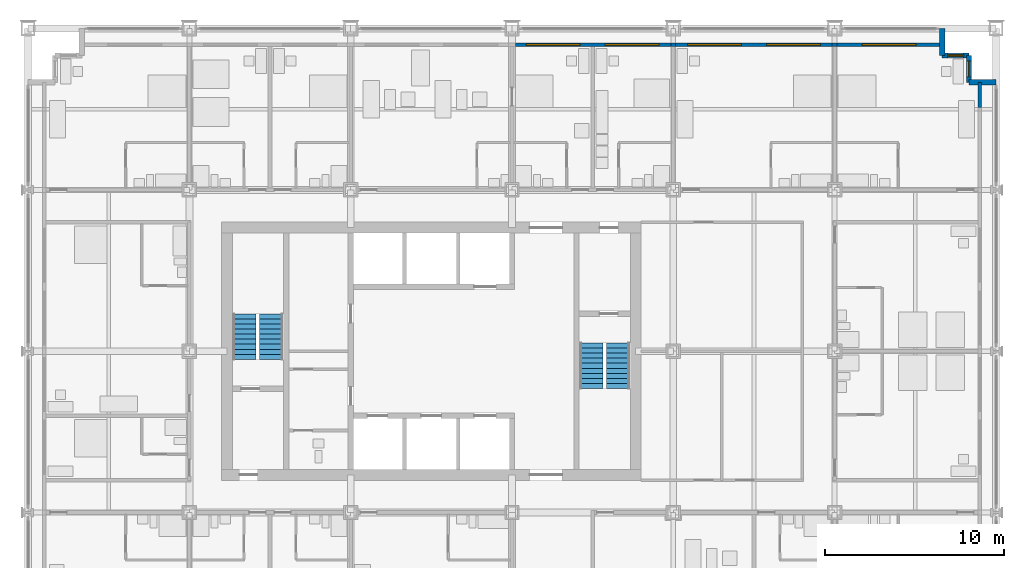
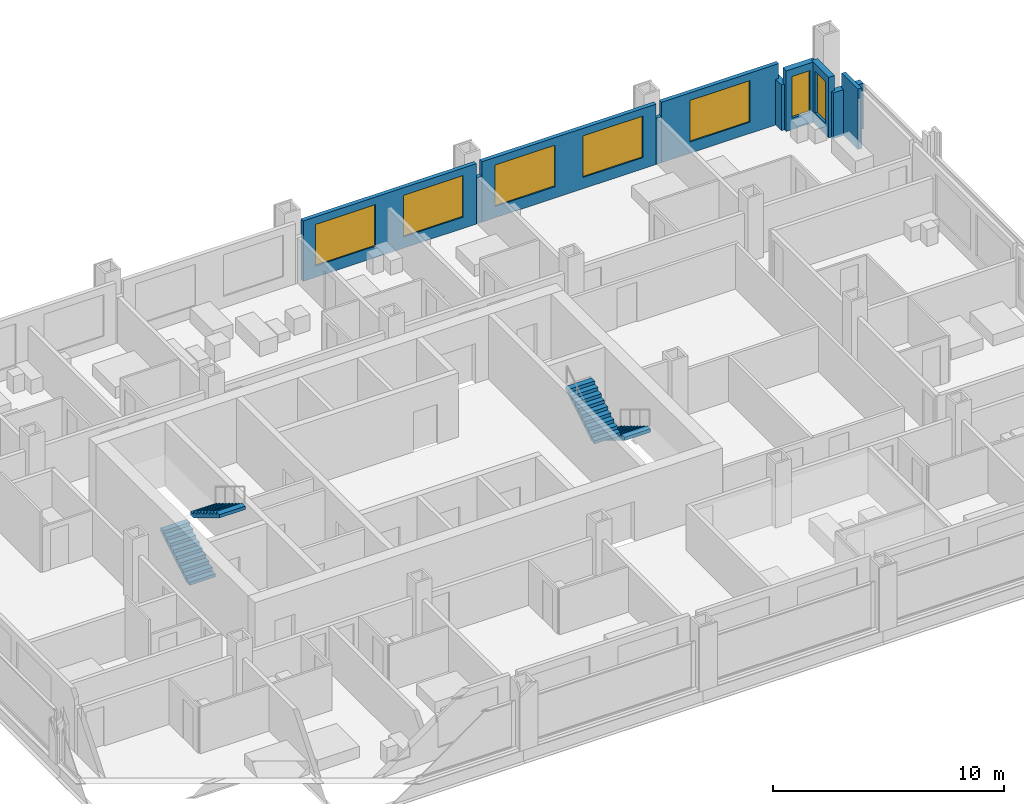
# One storey, part 15 of 18: 10 walls, 7 windows, 4 stair flights, 7 openings, 2 elements without a shape of their own.
"""IFC4 building model written with IfcOpenShell, lengths in metres."""

from ifc_helpers import new_model, si_unit, direction, frame, frame_2d, origin, place, context, subcontext, project, spatial, polyline, rectangle, outline, extrude, material, layer, layer_set, type_object, element, fill, aggregate, save


model = new_model("IFC4")

# Units and contexts
model_context = context("Model", 3, precision=1e-05, world=origin(), true_north=direction((0.0, 1.0)))
body_context = subcontext(model_context, "Body", "Model", "MODEL_VIEW")
ifc_project = project(units=[si_unit("LENGTHUNIT", "METRE"), si_unit("AREAUNIT", "SQUARE_METRE"), si_unit("VOLUMEUNIT", "CUBIC_METRE"), si_unit("PLANEANGLEUNIT", "RADIAN"), si_unit("MASSUNIT", "GRAM", prefix="KILO")], contexts=[model_context])

# Site, building, storey
site_placement = place(None, origin())
site = spatial("IfcSite", under=ifc_project, at=site_placement, CompositionType="ELEMENT")
building_placement = place(site_placement, origin())
building = spatial("IfcBuilding", under=site, at=building_placement, Name="Loomwork Tower", CompositionType="ELEMENT")
storey_placement = place(building_placement, frame((0.0, 0.0, 38.199951171875)))
storey = spatial("IfcBuildingStorey", under=building, at=storey_placement, Name="L08", CompositionType="ELEMENT", Elevation=38.199951171875)

# Wall, openings, windows
ifc_material_1 = material(Name="Insulated steel stud wall with gypsum lining", Category="steel")
ifc_layer_1 = layer(ifc_material_1, 0.199951171875)
ifc_layer_set_1 = layer_set([ifc_layer_1], Name="Inner skin wall 200")
wall_type_1 = type_object("IfcWallType", Name="Inner skin wall 200", PredefinedType="SOLIDWALL", material=ifc_layer_set_1)
wall_1_placement = place(storey_placement, frame((27.19384765625, 35.10009765625, 0.0), z_axis=(0.0, 0.0, 1.0), x_axis=(1.0, 0.0, 0.0)))
wall_1 = element("IfcWall", 1, at=wall_1_placement, inside=storey, type_object=wall_type_1, Name="Inner skin wall N bay 7", PredefinedType="SOLIDWALL", context=body_context, shape_type="SweptSolid", body=[
    extrude(rectangle(XDim=8.670654296875, YDim=0.199951171875, at=frame_2d((4.33544921875, 0.0))), origin(), (0.0, 0.0, 1.0), 3.199951171875),
])
opening_1_placement = place(wall_1_placement, frame((0.606201171875, 0.0, 0.60009765625)))
opening_1 = element("IfcOpeningElement", 2, at=opening_1_placement, cuts=wall_1, Name="Opening CH1", PredefinedType="OPENING", context=body_context, shape_type="SweptSolid", body=[
    extrude(rectangle(XDim=3.0, YDim=2.199951171875, at=frame_2d((1.5, 1.10009765625))), frame((0.0, 0.10986328125, 0.0), z_axis=(0.0, -1.0, 0.0), x_axis=(1.0, 0.0, 0.0)), (0.0, 0.0, 1.0), 0.219970703125),
])
opening_2_placement = place(wall_1_placement, frame((5.006103515625, 0.0, 0.60009765625)))
opening_2 = element("IfcOpeningElement", 3, at=opening_2_placement, cuts=wall_1, Name="Opening CH1", PredefinedType="OPENING", context=body_context, shape_type="SweptSolid", body=[
    extrude(rectangle(XDim=3.0, YDim=2.199951171875, at=frame_2d((1.5, 1.10009765625))), frame((0.0, 0.10986328125, 0.0), z_axis=(0.0, -1.0, 0.0), x_axis=(1.0, 0.0, 0.0)), (0.0, 0.0, 1.0), 0.219970703125),
])
ifc_material_2 = material(Name="Aluminium frame with clear insulated glass", Category="aluminium")
window_type_1 = type_object("IfcWindowType", Name="Chicago window 3000", PartitioningType="TRIPLE_PANEL_VERTICAL", PredefinedType="WINDOW", material=ifc_material_2)
window_1_placement = place(opening_1_placement, origin())
window_1 = element("IfcWindow", 4, at=window_1_placement, inside=storey, type_object=window_type_1, Name="Chicago window L08 bay 10", OverallHeight=2.199951171875, OverallWidth=3.0, PartitioningType="TRIPLE_PANEL_VERTICAL", PredefinedType="WINDOW", context=body_context, shape_type="SweptSolid", body=[
    extrude(rectangle(XDim=3.0, YDim=2.199951171875, at=frame_2d((1.5, 1.10009765625))), frame((0.0, 0.030029296875, 0.0), z_axis=(0.0, -1.0, 0.0), x_axis=(1.0, 0.0, 0.0)), (0.0, 0.0, 1.0), 0.06005859375),
])
fill(opening_1, window_1)
window_2_placement = place(opening_2_placement, origin())
window_2 = element("IfcWindow", 5, at=window_2_placement, inside=storey, type_object=window_type_1, Name="Chicago window L08 bay 10", OverallHeight=2.199951171875, OverallWidth=3.0, PartitioningType="TRIPLE_PANEL_VERTICAL", PredefinedType="WINDOW", context=body_context, shape_type="SweptSolid", body=[
    extrude(rectangle(XDim=3.0, YDim=2.199951171875, at=frame_2d((1.5, 1.10009765625))), frame((0.0, 0.030029296875, 0.0), z_axis=(0.0, -1.0, 0.0), x_axis=(1.0, 0.0, 0.0)), (0.0, 0.0, 1.0), 0.06005859375),
])
fill(opening_2, window_2)

# Wall
wall_2_placement = place(storey_placement, frame((35.864501953125, 35.10009765625, 0.0), z_axis=(0.0, 0.0, 1.0), x_axis=(1.0, 0.0, 0.0)))
element("IfcWall", 6, at=wall_2_placement, inside=storey, type_object=wall_type_1, Name="Inner skin wall N bay 8", PredefinedType="SOLIDWALL", context=body_context, shape_type="SweptSolid", body=[
    extrude(rectangle(XDim=0.27099609375, YDim=0.199951171875, at=frame_2d((0.135498046875, 0.0))), origin(), (0.0, 0.0, 1.0), 2.43798828125),
])

# Wall, openings, windows
wall_3_placement = place(storey_placement, frame((36.135498046875, 35.10009765625, 0.0), z_axis=(0.0, 0.0, 1.0), x_axis=(1.0, 0.0, 0.0)))
wall_3 = element("IfcWall", 7, at=wall_3_placement, inside=storey, type_object=wall_type_1, Name="Inner skin wall N bay 9", PredefinedType="SOLIDWALL", context=body_context, shape_type="SweptSolid", body=[
    extrude(rectangle(XDim=8.72900390625, YDim=0.199951171875, at=frame_2d((4.364501953125, 0.0))), origin(), (0.0, 0.0, 1.0), 3.199951171875),
])
opening_3_placement = place(wall_3_placement, frame((0.66455078125, 0.0, 0.60009765625)))
opening_3 = element("IfcOpeningElement", 8, at=opening_3_placement, cuts=wall_3, Name="Opening CH1", PredefinedType="OPENING", context=body_context, shape_type="SweptSolid", body=[
    extrude(rectangle(XDim=3.0, YDim=2.199951171875, at=frame_2d((1.5, 1.10009765625))), frame((0.0, 0.10986328125, 0.0), z_axis=(0.0, -1.0, 0.0), x_axis=(1.0, 0.0, 0.0)), (0.0, 0.0, 1.0), 0.219970703125),
])
opening_4_placement = place(wall_3_placement, frame((5.064697265625, 0.0, 0.60009765625)))
opening_4 = element("IfcOpeningElement", 9, at=opening_4_placement, cuts=wall_3, Name="Opening CH1", PredefinedType="OPENING", context=body_context, shape_type="SweptSolid", body=[
    extrude(rectangle(XDim=3.0, YDim=2.199951171875, at=frame_2d((1.5, 1.10009765625))), frame((0.0, 0.10986328125, 0.0), z_axis=(0.0, -1.0, 0.0), x_axis=(1.0, 0.0, 0.0)), (0.0, 0.0, 1.0), 0.219970703125),
])
window_3_placement = place(opening_3_placement, origin())
window_3 = element("IfcWindow", 10, at=window_3_placement, inside=storey, type_object=window_type_1, Name="Chicago window L08 bay 11", OverallHeight=2.199951171875, OverallWidth=3.0, PartitioningType="TRIPLE_PANEL_VERTICAL", PredefinedType="WINDOW", context=body_context, shape_type="SweptSolid", body=[
    extrude(rectangle(XDim=3.0, YDim=2.199951171875, at=frame_2d((1.5, 1.10009765625))), frame((0.0, 0.030029296875, 0.0), z_axis=(0.0, -1.0, 0.0), x_axis=(1.0, 0.0, 0.0)), (0.0, 0.0, 1.0), 0.06005859375),
])
fill(opening_3, window_3)
window_4_placement = place(opening_4_placement, origin())
window_4 = element("IfcWindow", 11, at=window_4_placement, inside=storey, type_object=window_type_1, Name="Chicago window L08 bay 11", OverallHeight=2.199951171875, OverallWidth=3.0, PartitioningType="TRIPLE_PANEL_VERTICAL", PredefinedType="WINDOW", context=body_context, shape_type="SweptSolid", body=[
    extrude(rectangle(XDim=3.0, YDim=2.199951171875, at=frame_2d((1.5, 1.10009765625))), frame((0.0, 0.030029296875, 0.0), z_axis=(0.0, -1.0, 0.0), x_axis=(1.0, 0.0, 0.0)), (0.0, 0.0, 1.0), 0.06005859375),
])
fill(opening_4, window_4)

# Wall
wall_4_placement = place(storey_placement, frame((44.864501953125, 35.10009765625, 0.0), z_axis=(0.0, 0.0, 1.0), x_axis=(1.0, 0.0, 0.0)))
element("IfcWall", 12, at=wall_4_placement, inside=storey, type_object=wall_type_1, Name="Inner skin wall N bay 10", PredefinedType="SOLIDWALL", context=body_context, shape_type="SweptSolid", body=[
    extrude(rectangle(XDim=0.27099609375, YDim=0.199951171875, at=frame_2d((0.135498046875, 0.0))), origin(), (0.0, 0.0, 1.0), 2.43798828125),
])

# Wall, opening, window
wall_5_placement = place(storey_placement, frame((45.135498046875, 35.10009765625, 0.0), z_axis=(0.0, 0.0, 1.0), x_axis=(1.0, 0.0, 0.0)))
wall_5 = element("IfcWall", 13, at=wall_5_placement, inside=storey, type_object=wall_type_1, Name="Inner skin wall N bay 11", PredefinedType="SOLIDWALL", context=body_context, shape_type="SweptSolid", body=[
    extrude(rectangle(XDim=5.864501953125, YDim=0.199951171875, at=frame_2d((2.93212890625, 0.0))), origin(), (0.0, 0.0, 1.0), 3.199951171875),
])
opening_5_placement = place(wall_5_placement, frame((1.41455078125, 0.0, 0.60009765625)))
opening_5 = element("IfcOpeningElement", 14, at=opening_5_placement, cuts=wall_5, Name="Opening CH1", PredefinedType="OPENING", context=body_context, shape_type="SweptSolid", body=[
    extrude(rectangle(XDim=3.0, YDim=2.199951171875, at=frame_2d((1.5, 1.10009765625))), frame((0.0, 0.10986328125, 0.0), z_axis=(0.0, -1.0, 0.0), x_axis=(1.0, 0.0, 0.0)), (0.0, 0.0, 1.0), 0.219970703125),
])
window_5_placement = place(opening_5_placement, origin())
window_5 = element("IfcWindow", 15, at=window_5_placement, inside=storey, type_object=window_type_1, Name="Chicago window L08 bay 12", OverallHeight=2.199951171875, OverallWidth=3.0, PartitioningType="TRIPLE_PANEL_VERTICAL", PredefinedType="WINDOW", context=body_context, shape_type="SweptSolid", body=[
    extrude(rectangle(XDim=3.0, YDim=2.199951171875, at=frame_2d((1.5, 1.10009765625))), frame((0.0, 0.030029296875, 0.0), z_axis=(0.0, -1.0, 0.0), x_axis=(1.0, 0.0, 0.0)), (0.0, 0.0, 1.0), 0.06005859375),
])
fill(opening_5, window_5)

# Walls
wall_6_placement = place(storey_placement, frame((53.10009765625, 31.607421875, 0.0), z_axis=(0.0, 0.0, 1.0), x_axis=(0.0, 1.0, 0.0)))
element("IfcWall", 16, at=wall_6_placement, inside=storey, type_object=wall_type_1, Name="Inner skin wall E bay 11", PredefinedType="SOLIDWALL", context=body_context, shape_type="SweptSolid", body=[
    extrude(rectangle(XDim=1.392578125, YDim=0.199951171875, at=frame_2d((0.6962890625, 0.0))), origin(), (0.0, 0.0, 1.0), 3.199951171875),
])
ifc_material_3 = material(Name="Limestone on concrete masonry", Category="masonry")
ifc_layer_2 = layer(ifc_material_3, 0.300048828125)
ifc_layer_set_2 = layer_set([ifc_layer_2], Name="Limestone corner wall 300")
wall_type_2 = type_object("IfcWallType", Name="Limestone corner wall 300", PredefinedType="SOLIDWALL", material=ifc_layer_set_2)
wall_7_placement = place(storey_placement, frame((54.0, 33.0, 0.0), z_axis=(0.0, 0.0, 1.0), x_axis=(-1.0, 0.0, 0.0)))
element("IfcWall", 17, at=wall_7_placement, inside=storey, type_object=wall_type_2, Name="Stone corner wall NE 1", PredefinedType="SOLIDWALL", context=body_context, shape_type="SweptSolid", body=[
    extrude(rectangle(XDim=1.5, YDim=0.300048828125, at=frame_2d((0.75, 0.0))), origin(), (0.0, 0.0, 1.0), 2.420166015625),
])

# Wall, opening, window
wall_8_placement = place(storey_placement, frame((52.5, 33.0, 0.0), z_axis=(0.0, 0.0, 1.0), x_axis=(0.0, 1.0, 0.0)))
wall_8 = element("IfcWall", 18, at=wall_8_placement, inside=storey, type_object=wall_type_2, Name="Stone corner wall NE 2", PredefinedType="SOLIDWALL", context=body_context, shape_type="SweptSolid", body=[
    extrude(rectangle(XDim=1.5, YDim=0.300048828125, at=frame_2d((0.75, 0.0))), origin(), (0.0, 0.0, 1.0), 3.199951171875),
])
opening_6_placement = place(wall_8_placement, frame((0.300048828125, 0.0, 0.60009765625)))
opening_6 = element("IfcOpeningElement", 19, at=opening_6_placement, cuts=wall_8, Name="Opening CH2", PredefinedType="OPENING", context=body_context, shape_type="SweptSolid", body=[
    extrude(rectangle(XDim=0.89990234375, YDim=2.199951171875, at=frame_2d((0.449951171875, 1.10009765625))), frame((0.0, 0.159912109375, 0.0), z_axis=(0.0, -1.0, 0.0), x_axis=(1.0, 0.0, 0.0)), (0.0, 0.0, 1.0), 0.320068359375),
])
ifc_material_4 = material(Name="Aluminium frame with clear insulated glass", Category="aluminium")
window_type_2 = type_object("IfcWindowType", Name="Corner window 900", PartitioningType="SINGLE_PANEL", PredefinedType="WINDOW", material=ifc_material_4)
window_6_placement = place(opening_6_placement, origin())
window_6 = element("IfcWindow", 20, at=window_6_placement, inside=storey, type_object=window_type_2, Name="Corner window NE", OverallHeight=2.199951171875, OverallWidth=0.89990234375, PartitioningType="SINGLE_PANEL", PredefinedType="WINDOW", context=body_context, shape_type="SweptSolid", body=[
    extrude(rectangle(XDim=0.89990234375, YDim=2.199951171875, at=frame_2d((0.449951171875, 1.10009765625))), frame((0.0, 0.030029296875, 0.0), z_axis=(0.0, -1.0, 0.0), x_axis=(1.0, 0.0, 0.0)), (0.0, 0.0, 1.0), 0.06005859375),
])
fill(opening_6, window_6)

wall_9_placement = place(storey_placement, frame((52.5, 34.5, 0.0), z_axis=(0.0, 0.0, 1.0), x_axis=(-1.0, 0.0, 0.0)))
wall_9 = element("IfcWall", 21, at=wall_9_placement, inside=storey, type_object=wall_type_2, Name="Stone corner wall NE 3", PredefinedType="SOLIDWALL", context=body_context, shape_type="SweptSolid", body=[
    extrude(rectangle(XDim=1.5, YDim=0.300048828125, at=frame_2d((0.75, 0.0))), origin(), (0.0, 0.0, 1.0), 3.199951171875),
])
opening_7_placement = place(wall_9_placement, frame((0.300048828125, 0.0, 0.60009765625)))
opening_7 = element("IfcOpeningElement", 22, at=opening_7_placement, cuts=wall_9, Name="Opening CH2", PredefinedType="OPENING", context=body_context, shape_type="SweptSolid", body=[
    extrude(rectangle(XDim=0.89990234375, YDim=2.199951171875, at=frame_2d((0.449951171875, 1.10009765625))), frame((0.0, 0.159912109375, 0.0), z_axis=(0.0, -1.0, 0.0), x_axis=(1.0, 0.0, 0.0)), (0.0, 0.0, 1.0), 0.320068359375),
])
window_7_placement = place(opening_7_placement, origin())
window_7 = element("IfcWindow", 23, at=window_7_placement, inside=storey, type_object=window_type_2, Name="Corner window NE", OverallHeight=2.199951171875, OverallWidth=0.89990234375, PartitioningType="SINGLE_PANEL", PredefinedType="WINDOW", context=body_context, shape_type="SweptSolid", body=[
    extrude(rectangle(XDim=0.89990234375, YDim=2.199951171875, at=frame_2d((0.449951171875, 1.10009765625))), frame((0.0, 0.030029296875, 0.0), z_axis=(0.0, -1.0, 0.0), x_axis=(1.0, 0.0, 0.0)), (0.0, 0.0, 1.0), 0.06005859375),
])
fill(opening_7, window_7)

# Wall
wall_10_placement = place(storey_placement, frame((51.0, 34.5, 0.0), z_axis=(0.0, 0.0, 1.0), x_axis=(0.0, 1.0, 0.0)))
element("IfcWall", 24, at=wall_10_placement, inside=storey, type_object=wall_type_2, Name="Stone corner wall NE 4", PredefinedType="SOLIDWALL", context=body_context, shape_type="SweptSolid", body=[
    extrude(rectangle(XDim=1.5, YDim=0.300048828125, at=frame_2d((0.75, 0.0))), origin(), (0.0, 0.0, 1.0), 2.420166015625),
])

# Stair, stair flights
ifc_material_5 = material(Name="Concrete 5000 psi (34 MPa) precast stair", Category="concrete")
stair_type_1 = type_object("IfcStairType", Name="Stair ST-A 20 risers 2850 wide", PredefinedType="HALF_TURN_STAIR", material=ifc_material_5)
stair_1_placement = place(storey_placement, origin())
stair_1 = element("IfcStair", 25, at=stair_1_placement, inside=storey, type_object=stair_type_1, Name="Stair A L08", PredefinedType="HALF_TURN_STAIR")
ifc_material_6 = material(Name="Concrete 5000 psi (34 MPa) precast stair", Category="concrete")
stair_flight_type_1 = type_object("IfcStairFlightType", Name="Stair flight ST-A 10 risers 1300 wide", PredefinedType="STRAIGHT", material=ifc_material_6)
stair_flight_1_placement = place(storey_placement, frame((12.074951171875, 17.550048828125, 0.0), z_axis=(0.0, 0.0, 1.0), x_axis=(0.0, 1.0, 0.0)))
stair_flight_1 = element("IfcStairFlight", 26, at=stair_flight_1_placement, type_object=stair_flight_type_1, Name="ST-A flight 1", NumberOfRisers=10, NumberOfTreads=9, PredefinedType="STRAIGHT", RiserHeight=0.17, TreadLength=0.28, context=body_context, shape_type="SweptSolid", body=[
    extrude(outline(polyline([(0.0, 0.0), (0.0, 0.169921875), (0.280029296875, 0.169921875), (0.280029296875, 0.340087890625), (0.56005859375, 0.340087890625), (0.56005859375, 0.510009765625), (0.840087890625, 0.510009765625), (0.840087890625, 0.679931640625), (1.1201171875, 0.679931640625), (1.1201171875, 0.85009765625), (1.39990234375, 0.85009765625), (1.39990234375, 1.02001953125), (1.679931640625, 1.02001953125), (1.679931640625, 1.18994140625), (1.9599609375, 1.18994140625), (1.9599609375, 1.360107421875), (2.239990234375, 1.360107421875), (2.239990234375, 1.530029296875), (2.52001953125, 1.530029296875), (2.52001953125, 1.699951171875), (2.52001953125, 1.354736328125), (0.288818359375, 0.0), (0.0, 0.0)])), frame((0.0, 0.64990234375, 0.0), z_axis=(0.0, -1.0, 0.0), x_axis=(1.0, 0.0, 0.0)), (0.0, 0.0, 1.0), 1.300048828125),
])
stair_flight_2_placement = place(storey_placement, frame((13.574951171875, 20.070068359375, 1.699951171875), z_axis=(0.0, 0.0, 1.0), x_axis=(0.0, -1.0, 0.0)))
stair_flight_2 = element("IfcStairFlight", 27, at=stair_flight_2_placement, type_object=stair_flight_type_1, Name="ST-A flight 2", NumberOfRisers=10, NumberOfTreads=9, PredefinedType="STRAIGHT", RiserHeight=0.17, TreadLength=0.28, context=body_context, shape_type="SweptSolid", body=[
    extrude(outline(polyline([(0.0, 0.0), (0.0, 0.169921875), (0.280029296875, 0.169921875), (0.280029296875, 0.340087890625), (0.56005859375, 0.340087890625), (0.56005859375, 0.510009765625), (0.840087890625, 0.510009765625), (0.840087890625, 0.679931640625), (1.1201171875, 0.679931640625), (1.1201171875, 0.85009765625), (1.39990234375, 0.85009765625), (1.39990234375, 1.02001953125), (1.679931640625, 1.02001953125), (1.679931640625, 1.18994140625), (1.9599609375, 1.18994140625), (1.9599609375, 1.360107421875), (2.239990234375, 1.360107421875), (2.239990234375, 1.530029296875), (2.52001953125, 1.530029296875), (2.52001953125, 1.699951171875), (2.52001953125, 1.354736328125), (0.288818359375, 0.0), (0.0, 0.0)])), frame((0.0, 0.64990234375, 0.0), z_axis=(0.0, -1.0, 0.0), x_axis=(1.0, 0.0, 0.0)), (0.0, 0.0, 1.0), 1.300048828125),
])
aggregate(stair_1, [stair_flight_1, stair_flight_2])

ifc_material_7 = material(Name="Concrete 5000 psi (34 MPa) precast stair", Category="concrete")
stair_type_2 = type_object("IfcStairType", Name="Stair ST-B 20 risers 2850 wide", PredefinedType="HALF_TURN_STAIR", material=ifc_material_7)
stair_2_placement = place(storey_placement, origin())
stair_2 = element("IfcStair", 28, at=stair_2_placement, inside=storey, type_object=stair_type_2, Name="Stair B L08", PredefinedType="HALF_TURN_STAIR")
ifc_material_8 = material(Name="Concrete 5000 psi (34 MPa) precast stair", Category="concrete")
stair_flight_type_2 = type_object("IfcStairFlightType", Name="Stair flight ST-B 10 risers 1300 wide", PredefinedType="STRAIGHT", material=ifc_material_8)
stair_flight_3_placement = place(storey_placement, frame((32.925048828125, 18.449951171875, 0.0), z_axis=(0.0, 0.0, 1.0), x_axis=(0.0, -1.0, 0.0)))
stair_flight_3 = element("IfcStairFlight", 29, at=stair_flight_3_placement, type_object=stair_flight_type_2, Name="ST-B flight 1", NumberOfRisers=10, NumberOfTreads=9, PredefinedType="STRAIGHT", RiserHeight=0.17, TreadLength=0.28, context=body_context, shape_type="SweptSolid", body=[
    extrude(outline(polyline([(0.0, 0.0), (0.0, 0.169921875), (0.280029296875, 0.169921875), (0.280029296875, 0.340087890625), (0.56005859375, 0.340087890625), (0.56005859375, 0.510009765625), (0.840087890625, 0.510009765625), (0.840087890625, 0.679931640625), (1.1201171875, 0.679931640625), (1.1201171875, 0.85009765625), (1.39990234375, 0.85009765625), (1.39990234375, 1.02001953125), (1.679931640625, 1.02001953125), (1.679931640625, 1.18994140625), (1.9599609375, 1.18994140625), (1.9599609375, 1.360107421875), (2.239990234375, 1.360107421875), (2.239990234375, 1.530029296875), (2.52001953125, 1.530029296875), (2.52001953125, 1.699951171875), (2.52001953125, 1.354736328125), (0.288818359375, 0.0), (0.0, 0.0)])), frame((0.0, 0.64990234375, 0.0), z_axis=(0.0, -1.0, 0.0), x_axis=(1.0, 0.0, 0.0)), (0.0, 0.0, 1.0), 1.300048828125),
])
stair_flight_4_placement = place(storey_placement, frame((31.425048828125, 15.929931640625, 1.699951171875), z_axis=(0.0, 0.0, 1.0), x_axis=(0.0, 1.0, 0.0)))
stair_flight_4 = element("IfcStairFlight", 30, at=stair_flight_4_placement, type_object=stair_flight_type_2, Name="ST-B flight 2", NumberOfRisers=10, NumberOfTreads=9, PredefinedType="STRAIGHT", RiserHeight=0.17, TreadLength=0.28, context=body_context, shape_type="SweptSolid", body=[
    extrude(outline(polyline([(0.0, 0.0), (0.0, 0.169921875), (0.280029296875, 0.169921875), (0.280029296875, 0.340087890625), (0.56005859375, 0.340087890625), (0.56005859375, 0.510009765625), (0.840087890625, 0.510009765625), (0.840087890625, 0.679931640625), (1.1201171875, 0.679931640625), (1.1201171875, 0.85009765625), (1.39990234375, 0.85009765625), (1.39990234375, 1.02001953125), (1.679931640625, 1.02001953125), (1.679931640625, 1.18994140625), (1.9599609375, 1.18994140625), (1.9599609375, 1.360107421875), (2.239990234375, 1.360107421875), (2.239990234375, 1.530029296875), (2.52001953125, 1.530029296875), (2.52001953125, 1.699951171875), (2.52001953125, 1.354736328125), (0.288818359375, 0.0), (0.0, 0.0)])), frame((0.0, 0.64990234375, 0.0), z_axis=(0.0, -1.0, 0.0), x_axis=(1.0, 0.0, 0.0)), (0.0, 0.0, 1.0), 1.300048828125),
])
aggregate(stair_2, [stair_flight_3, stair_flight_4])

save(model, "model.ifc")
